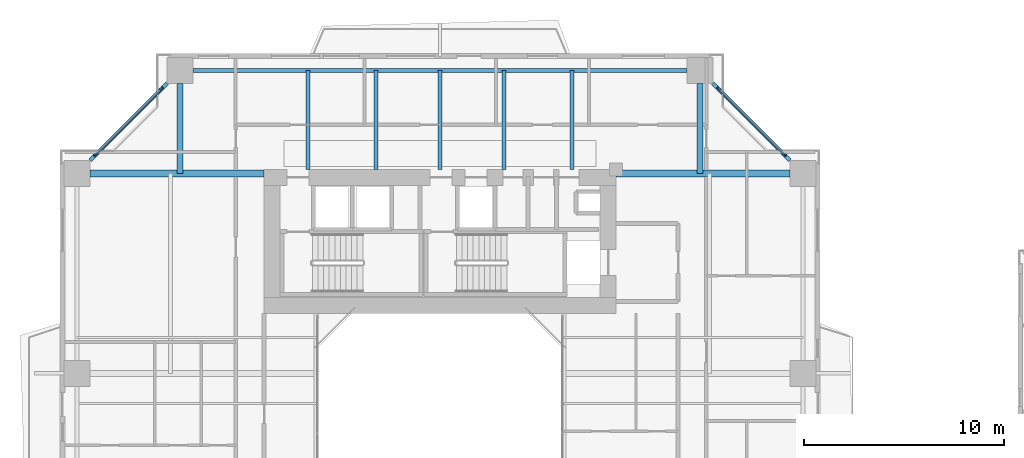
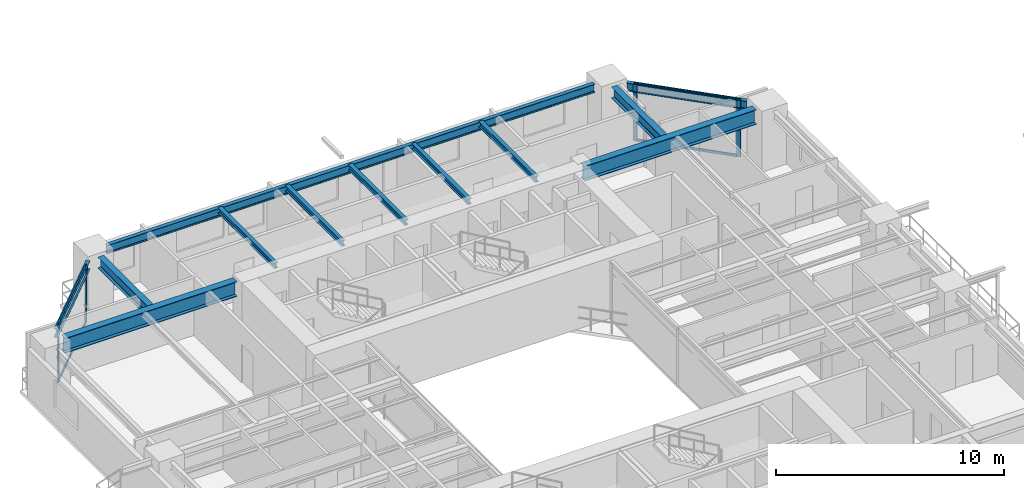
# One storey, part 10 of 23: 12 beams, 8 members, 2 elements without a shape of their own.
"""IFC4 building model written with IfcOpenShell, lengths in metres."""

import ifcopenshell
import ifcopenshell.guid

model = None  # the IFC model being written
_history = None  # IfcOwnerHistory: only IFC2X3 demands one
_inside = {}  # id of a spatial element -> (the spatial element, [elements in it])
_under = {}  # id of a project, library or spatial element -> (it, [spatial elements below it])
_declared = {}  # id of a project -> (the project, [libraries it declares])
_typed = {}  # id of a type object -> (the type object, [elements of that type])
_made_of = {}  # id of a material, layer set ... -> (it, [elements and type objects made of it])


def new_model(schema):
    """Start an empty IFC model of exactly this schema.

    Asked for "IFC4X3", IfcOpenShell would pick the latest addendum, in which some entities
    have other attributes; the version numbers below select the first issue.
    IFC2X3 requires an IfcOwnerHistory on every rooted entity: one is made here for all.
    """
    global model, _history
    if schema == "IFC4X3":
        model = ifcopenshell.file(schema_version=(4, 3, 0, 0))
    else:
        model = ifcopenshell.file(schema=schema)
    _inside.clear()
    _under.clear()
    _declared.clear()
    _typed.clear()
    _made_of.clear()
    _history = None
    if model.schema == "IFC2X3":
        org = make("IfcOrganization", Name="unknown")
        user = make(
            "IfcPersonAndOrganization",
            ThePerson=make("IfcPerson", FamilyName="unknown"),
            TheOrganization=org,
        )
        app = make(
            "IfcApplication",
            ApplicationDeveloper=org,
            Version="unknown",
            ApplicationFullName="unknown",
            ApplicationIdentifier="unknown",
        )
        _history = make(
            "IfcOwnerHistory",
            OwningUser=user,
            OwningApplication=app,
            ChangeAction="ADDED",
            CreationDate=0,
        )
    return model


def make(cls, **values):
    """One entity of the class cls with the attributes given. An attribute that is None is left unset."""
    return model.create_entity(
        cls, **{name: value for name, value in values.items() if value is not None}
    )


def rooted(cls, **values):
    """An entity with a GlobalId (a new one), such as an element, a storey or a relation."""
    return make(cls, GlobalId=ifcopenshell.guid.new(), OwnerHistory=_history, **values)


def si_unit(unit_type, name, prefix=None):
    """IfcSIUnit, for example si_unit("LENGTHUNIT", "METRE", prefix="MILLI")."""
    return make("IfcSIUnit", UnitType=unit_type, Prefix=prefix, Name=name)


def assignment(units):
    """IfcUnitAssignment: the units of a project."""
    return None if units is None else make("IfcUnitAssignment", Units=units)


def point(xyz):
    """IfcCartesianPoint."""
    return None if xyz is None else make("IfcCartesianPoint", Coordinates=xyz)


def direction(xyz):
    """IfcDirection."""
    return None if xyz is None else make("IfcDirection", DirectionRatios=xyz)


def frame(location, z_axis=None, x_axis=None):
    """IfcAxis2Placement3D, a coordinate frame: its origin and axes. An axis left out is left unset."""
    return make(
        "IfcAxis2Placement3D",
        Location=point(location),
        Axis=direction(z_axis),
        RefDirection=direction(x_axis),
    )


def frame_2d(location, x_axis=None):
    """IfcAxis2Placement2D, a coordinate frame in the plane: its origin and x axis."""
    return make(
        "IfcAxis2Placement2D", Location=point(location), RefDirection=direction(x_axis)
    )


def origin():
    """The frame at (0, 0, 0) with its axes left unset."""
    return frame((0.0, 0.0, 0.0))


def origin_2d():
    """The frame at (0, 0) in the plane with its x axis left unset."""
    return frame_2d((0.0, 0.0))


def place(relative_to, where):
    """IfcLocalPlacement: puts the frame where relative to a parent placement (None: the world)."""
    return make(
        "IfcLocalPlacement", PlacementRelTo=relative_to, RelativePlacement=where
    )


def context(
    kind, dimensions, precision=None, world=None, true_north=None, identifier=None
):
    """IfcGeometricRepresentationContext, for example the 3D "Model" context."""
    return make(
        "IfcGeometricRepresentationContext",
        ContextIdentifier=identifier,
        ContextType=kind,
        CoordinateSpaceDimension=dimensions,
        Precision=precision,
        WorldCoordinateSystem=world,
        TrueNorth=true_north,
    )


def subcontext(parent, identifier, kind, view, scale=None):
    """IfcGeometricRepresentationSubContext, for example "Body" below "Model"."""
    return make(
        "IfcGeometricRepresentationSubContext",
        ContextIdentifier=identifier,
        ContextType=kind,
        ParentContext=parent,
        TargetScale=scale,
        TargetView=view,
    )


def project(units=None, contexts=None):
    """IfcProject with its units and contexts."""
    return rooted(
        "IfcProject",
        Name="project",
        RepresentationContexts=contexts,
        UnitsInContext=assignment(units),
    )


def spatial(cls, under=None, at=None, **own):
    """A site, building, storey or space (cls), placed at a placement, below another one or the project."""
    s = rooted(cls, ObjectPlacement=at, **own)
    if under is not None:
        _under.setdefault(under.id(), (under, []))[1].append(s)
    return s


def profile(cls, at=None, kind="AREA", **sizes):
    """A parametric profile (cls). Its sizes go by their IFC names, for example OverallWidth=200.0."""
    return make(cls, ProfileType=kind, Position=at, **sizes)


def rectangle(**sizes):
    """IfcRectangleProfileDef."""
    return profile("IfcRectangleProfileDef", **sizes)


def i_section(**sizes):
    """IfcIShapeProfileDef."""
    return profile("IfcIShapeProfileDef", **sizes)


def extrude(swept, where, along, depth):
    """IfcExtrudedAreaSolid: the profile swept, set in the frame where, extruded along a direction by depth."""
    return make(
        "IfcExtrudedAreaSolid",
        SweptArea=swept,
        Position=where,
        ExtrudedDirection=direction(along),
        Depth=depth,
    )


def shape(context_of_items, identifier, shape_type, items):
    """IfcShapeRepresentation: the items that make up one representation, for example the "Body"."""
    return make(
        "IfcShapeRepresentation",
        ContextOfItems=context_of_items,
        RepresentationIdentifier=identifier,
        RepresentationType=shape_type,
        Items=items,
    )


def source(mapping_origin, context_of_items, identifier, shape_type, items):
    """IfcRepresentationMap: a shape defined once, which mapped items show again and again."""
    return make(
        "IfcRepresentationMap",
        MappingOrigin=mapping_origin,
        MappedRepresentation=shape(context_of_items, identifier, shape_type, items),
    )


def transform(
    local_origin,
    x_axis=None,
    y_axis=None,
    z_axis=None,
    scale=None,
    scale2=None,
    scale3=None,
    uniform=True,
):
    """IfcCartesianTransformationOperator3D, or its non-uniform kind. x_axis, y_axis, z_axis: its Axis1, 2, 3."""
    if uniform:
        return make(
            "IfcCartesianTransformationOperator3D",
            Axis1=direction(x_axis),
            Axis2=direction(y_axis),
            LocalOrigin=point(local_origin),
            Scale=scale,
            Axis3=direction(z_axis),
        )
    return make(
        "IfcCartesianTransformationOperator3DnonUniform",
        Axis1=direction(x_axis),
        Axis2=direction(y_axis),
        LocalOrigin=point(local_origin),
        Scale=scale,
        Axis3=direction(z_axis),
        Scale2=scale2,
        Scale3=scale3,
    )


def mapped(mapping_source, mapping_target):
    """IfcMappedItem: shows the shape of a source again, moved by a transform."""
    return make(
        "IfcMappedItem", MappingSource=mapping_source, MappingTarget=mapping_target
    )


def material(Name=None, Category=None):
    """IfcMaterial."""
    return make("IfcMaterial", Name=Name, Category=Category)


def layer(
    of_material, thickness, ventilated=None, Name=None, Category=None, Priority=None
):
    """IfcMaterialLayer: one layer of a wall or slab, of a material (None: an air gap)."""
    return make(
        "IfcMaterialLayer",
        Material=of_material,
        LayerThickness=thickness,
        IsVentilated=ventilated,
        Name=Name,
        Category=Category,
        Priority=Priority,
    )


def layer_set(layers, Name=None):
    """IfcMaterialLayerSet."""
    return make("IfcMaterialLayerSet", MaterialLayers=layers, LayerSetName=Name)


def material_profile(
    of_material, cross_section, Name=None, Category=None, Priority=None
):
    """IfcMaterialProfile: a cross section and its material."""
    return make(
        "IfcMaterialProfile",
        Name=Name,
        Material=of_material,
        Profile=cross_section,
        Priority=Priority,
        Category=Category,
    )


def profile_set(profiles, Name=None, composite=None):
    """IfcMaterialProfileSet."""
    return make(
        "IfcMaterialProfileSet",
        Name=Name,
        MaterialProfiles=profiles,
        CompositeProfile=composite,
    )


def made_of(thing, what):
    """Note that an element or type object is made of a material, layer set ...; save() writes the relation."""
    if what is not None:
        _made_of.setdefault(what.id(), (what, []))[1].append(thing)
    return thing


def type_object(cls, material=None, **own):
    """A type object (cls), such as IfcWallType, which elements share."""
    return made_of(rooted(cls, **own), material)


def element(
    cls,
    number,
    at=None,
    inside=None,
    cuts=None,
    type_object=None,
    material=None,
    context=None,
    identifier="Body",
    shape_type=None,
    held_by="IfcProductDefinitionShape",
    body=None,
    shapes=None,
    **own,
):
    """One element of the class cls, such as IfcWall. Its Tag is "e" and its number.

    at: its placement. inside: the storey or other place that contains it. cuts: it is an
    opening in that element (IfcRelVoidsElement). A single representation is given by context,
    identifier, shape_type and body (its items); several are given by shapes. held_by: the class
    of the entity that holds the representations. save() writes the other relations.
    """
    e = rooted(cls, Tag="e%d" % number, ObjectPlacement=at, **own)
    if body is not None:
        shapes = [shape(context, identifier, shape_type, body)]
    if shapes is not None:
        e.Representation = make(held_by, Representations=shapes)
    if inside is not None:
        _inside.setdefault(inside.id(), (inside, []))[1].append(e)
    if cuts is not None:
        rooted(
            "IfcRelVoidsElement", RelatingBuildingElement=cuts, RelatedOpeningElement=e
        )
    if type_object is not None:
        _typed.setdefault(type_object.id(), (type_object, []))[1].append(e)
    return made_of(e, material)


def aggregate(whole, parts):
    """IfcRelAggregates: a whole, such as a stair, and the parts it consists of."""
    return rooted("IfcRelAggregates", RelatingObject=whole, RelatedObjects=parts)


def save(model, path):
    """Write the relations noted so far, then the file.

    IfcRelAggregates (storeys below a building ...), IfcRelContainedInSpatialStructure (elements
    in a storey), IfcRelDefinesByType, IfcRelAssociatesMaterial and IfcRelDeclares: one each for
    every whole, place, type object, material and project.
    """
    for whole, parts in _under.values():
        aggregate(whole, parts)
    for where, things in _inside.values():
        rooted(
            "IfcRelContainedInSpatialStructure",
            RelatedElements=things,
            RelatingStructure=where,
        )
    for kind, things in _typed.values():
        rooted("IfcRelDefinesByType", RelatedObjects=things, RelatingType=kind)
    for what, things in _made_of.values():
        rooted("IfcRelAssociatesMaterial", RelatedObjects=things, RelatingMaterial=what)
    for by, libraries in _declared.values():
        rooted("IfcRelDeclares", RelatingContext=by, RelatedDefinitions=libraries)
    model.write(path)


model = new_model("IFC4")

# Units and contexts
model_context = context("Model", 3, precision=1e-05, world=origin(), true_north=direction((0.0, 1.0)))
body_context = subcontext(model_context, "Body", "Model", "MODEL_VIEW")
ifc_project = project(units=[si_unit("LENGTHUNIT", "METRE"), si_unit("AREAUNIT", "SQUARE_METRE"), si_unit("VOLUMEUNIT", "CUBIC_METRE"), si_unit("PLANEANGLEUNIT", "RADIAN"), si_unit("MASSUNIT", "GRAM", prefix="KILO"), si_unit("THERMODYNAMICTEMPERATUREUNIT", "KELVIN"), si_unit("POWERUNIT", "WATT")], contexts=[model_context])

# Site, building, storey
site_placement = place(None, origin())
site = spatial("IfcSite", under=ifc_project, at=site_placement, CompositionType="ELEMENT")
building_placement = place(site_placement, origin())
building = spatial("IfcBuilding", under=site, at=building_placement, Name="Qiaomeng Ring Towers", CompositionType="ELEMENT")
storey_placement = place(building_placement, frame((0.0, 0.0, 73.0)))
storey = spatial("IfcBuildingStorey", under=building, at=storey_placement, Name="L20", CompositionType="ELEMENT", Elevation=73.0)

# Beams
ifc_material_1 = material(Name="Steel Q355B", Category="steel")
ifc_material_profile_1 = material_profile(ifc_material_1, i_section(OverallWidth=0.199951171875, OverallDepth=0.449951171875, WebThickness=0.009033203125, FlangeThickness=0.013916015625, FilletRadius=0.01806640625, at=origin_2d()), Name="HN 450x200x9x14")
ifc_profile_set_1 = profile_set([ifc_material_profile_1], Name="Steel Q355B")
beam_type_1 = type_object("IfcBeamType", Name="STR-BM-HN450", PredefinedType="SPANDREL", material=ifc_profile_set_1)
shared_shape_1 = source(origin(), body_context, "Body", "SweptSolid", [
    extrude(i_section(OverallWidth=0.199951171875, OverallDepth=0.449951171875, WebThickness=0.009033203125, FlangeThickness=0.013916015625, FilletRadius=0.01806640625, at=origin_2d()), origin(), (0.0, 0.0, 1.0), 24.7021484375),
])
beam_placement = place(storey_placement, frame((31.35107421875, 41.14990234375, 2.844970703125), z_axis=(-1.0, 0.0, 0.0), x_axis=(0.0, -1.0, 0.0)))
element("IfcBeam", 1, at=beam_placement, inside=storey, type_object=beam_type_1, Name="L20 beam STR-SP-L20-T1-N2-N1", PredefinedType="SPANDREL", context=body_context, shape_type="MappedRepresentation", body=[
    mapped(shared_shape_1, transform((0.0, 0.0, 0.0), x_axis=(1.0, 0.0, 0.0), y_axis=(0.0, 1.0, 0.0), z_axis=(0.0, 0.0, 1.0), scale=1.0)),
])
shared_shape_2 = source(origin(), body_context, "Body", "SweptSolid", [
    extrude(i_section(OverallWidth=0.199951171875, OverallDepth=0.449951171875, WebThickness=0.009033203125, FlangeThickness=0.013916015625, FilletRadius=0.01806640625, at=origin_2d()), origin(), (0.0, 0.0, 1.0), 5.446533203125),
])
for number, where, z_axis, x_axis, name in (
    (2, (36.500732421875, 36.6494140625, 2.844970703125), (-0.707106781187, 0.707106781187, 0.0), (-0.707106781187, -0.707106781187, 0.0), "L20 beam STR-SP-L20-T1-E4-N2"),
    (3, (5.3505859375, 40.500732421875, 2.844970703125), (-0.707106781187, -0.707106781187, 0.0), (0.707106781187, -0.707106781187, 0.0), "L20 beam STR-SP-L20-T1-N1-W4"),
):
    element("IfcBeam", number, at=place(storey_placement, frame(where, z_axis=z_axis, x_axis=x_axis)), inside=storey, type_object=beam_type_1, Name=name, PredefinedType="SPANDREL", context=body_context, shape_type="MappedRepresentation", body=[
        mapped(shared_shape_2, transform((0.0, 0.0, 0.0), x_axis=(1.0, 0.0, 0.0), y_axis=(0.0, 1.0, 0.0), z_axis=(0.0, 0.0, 1.0), scale=1.0)),
    ])
ifc_material_2 = material(Name="Steel Q390GJC", Category="steel")
ifc_material_profile_2 = material_profile(ifc_material_2, i_section(OverallWidth=0.35009765625, OverallDepth=0.800048828125, WebThickness=0.01611328125, FlangeThickness=0.028076171875, at=origin_2d()), Name="WH 800x350x16x28")
ifc_profile_set_2 = profile_set([ifc_material_profile_2], Name="Steel Q390GJC")
beam_type_2 = type_object("IfcBeamType", Name="STR-BM-WH800", PredefinedType="BEAM", material=ifc_profile_set_2)
shared_shape_3 = source(origin(), body_context, "Body", "SweptSolid", [
    extrude(i_section(OverallWidth=0.35009765625, OverallDepth=0.800048828125, WebThickness=0.01611328125, FlangeThickness=0.028076171875, at=origin_2d()), origin(), (0.0, 0.0, 1.0), 8.700927734375),
])
for number, where, z_axis, x_axis, name in (
    (4, (1.4990234375, 36.0, 2.669921875), (1.0, 0.0, 0.0), (0.0, 1.0, 0.0), "L20 beam STR-BM-L20-T1-RAD-W4"),
    (5, (27.800048828125, 36.0, 2.669921875), (1.0, 0.0, 0.0), (0.0, 1.0, 0.0), "L20 beam STR-BM-L20-T1-RAD-E4"),
):
    element("IfcBeam", number, at=place(storey_placement, frame(where, z_axis=z_axis, x_axis=x_axis)), inside=storey, type_object=beam_type_2, Name=name, PredefinedType="BEAM", context=body_context, shape_type="MappedRepresentation", body=[
        mapped(shared_shape_3, transform((0.0, 0.0, 0.0), x_axis=(1.0, 0.0, 0.0), y_axis=(0.0, 1.0, 0.0), z_axis=(0.0, 0.0, 1.0), scale=1.0)),
    ])
ifc_material_profile_3 = material_profile(ifc_material_1, i_section(OverallWidth=0.300048828125, OverallDepth=0.587890625, WebThickness=0.011962890625, FlangeThickness=0.02001953125, FilletRadius=0.028076171875, at=origin_2d()), Name="HM 588x300x12x20")
ifc_profile_set_3 = profile_set([ifc_material_profile_3], Name="Steel Q355B")
beam_type_3 = type_object("IfcBeamType", Name="STR-BM-HM588", PredefinedType="BEAM", material=ifc_profile_set_3)
shared_shape_4 = source(origin(), body_context, "Body", "SweptSolid", [
    extrude(i_section(OverallWidth=0.300048828125, OverallDepth=0.587890625, WebThickness=0.011962890625, FlangeThickness=0.02001953125, FilletRadius=0.028076171875, at=origin_2d()), origin(), (0.0, 0.0, 1.0), 4.5009765625),
])
for number, where, z_axis, x_axis, name in (
    (6, (6.0, 40.5009765625, 2.77587890625), (0.0, -1.0, 0.0), (1.0, 0.0, 0.0), "L20 beam STR-BM-L20-T1-RAD-N1"),
    (7, (32.0, 40.5009765625, 2.77587890625), (0.0, -1.0, 0.0), (1.0, 0.0, 0.0), "L20 beam STR-BM-L20-T1-RAD-N2"),
):
    element("IfcBeam", number, at=place(storey_placement, frame(where, z_axis=z_axis, x_axis=x_axis)), inside=storey, type_object=beam_type_3, Name=name, PredefinedType="BEAM", context=body_context, shape_type="MappedRepresentation", body=[
        mapped(shared_shape_4, transform((0.0, 0.0, 0.0), x_axis=(1.0, 0.0, 0.0), y_axis=(0.0, 1.0, 0.0), z_axis=(0.0, 0.0, 1.0), scale=1.0)),
    ])
ifc_material_profile_4 = material_profile(ifc_material_1, i_section(OverallWidth=0.199951171875, OverallDepth=0.2939453125, WebThickness=0.008056640625, FlangeThickness=0.011962890625, FilletRadius=0.01806640625, at=origin_2d()), Name="HM 294x200x8x12")
ifc_profile_set_4 = profile_set([ifc_material_profile_4], Name="Steel Q355B")
beam_type_4 = type_object("IfcBeamType", Name="STR-BM-HM294", PredefinedType="JOIST", material=ifc_profile_set_4)
shared_shape_5 = source(origin(), body_context, "Body", "SweptSolid", [
    extrude(i_section(OverallWidth=0.199951171875, OverallDepth=0.2939453125, WebThickness=0.008056640625, FlangeThickness=0.011962890625, FilletRadius=0.01806640625, at=origin_2d()), origin(), (0.0, 0.0, 1.0), 4.949951171875),
])
for number, where, z_axis, x_axis, name in (
    (8, (12.39990234375, 36.199951171875, 2.923095703125), (0.0, 1.0, 0.0), (-1.0, 0.0, 0.0), "L20 beam STR-JST-L20-T1N-1"),
    (9, (15.800048828125, 36.199951171875, 2.923095703125), (0.0, 1.0, 0.0), (-1.0, 0.0, 0.0), "L20 beam STR-JST-L20-T1N-2"),
    (10, (19.0, 36.199951171875, 2.923095703125), (0.0, 1.0, 0.0), (-1.0, 0.0, 0.0), "L20 beam STR-JST-L20-T1N-3"),
    (11, (22.199951171875, 36.199951171875, 2.923095703125), (0.0, 1.0, 0.0), (-1.0, 0.0, 0.0), "L20 beam STR-JST-L20-T1N-4"),
    (12, (25.60009765625, 36.199951171875, 2.923095703125), (0.0, 1.0, 0.0), (-1.0, 0.0, 0.0), "L20 beam STR-JST-L20-T1N-5"),
):
    element("IfcBeam", number, at=place(storey_placement, frame(where, z_axis=z_axis, x_axis=x_axis)), inside=storey, type_object=beam_type_4, Name=name, PredefinedType="JOIST", context=body_context, shape_type="MappedRepresentation", body=[
        mapped(shared_shape_5, transform((0.0, 0.0, 0.0), x_axis=(1.0, 0.0, 0.0), y_axis=(0.0, 1.0, 0.0), z_axis=(0.0, 0.0, 1.0), scale=1.0)),
    ])

# Curtain wall, members
ifc_material_3 = material(Name="Fluorocarbon dark-grey aluminium", Category="aluminium")
ifc_layer = layer(ifc_material_3, 0.159912109375, Name="Fluorocarbon dark-grey aluminium")
ifc_layer_set = layer_set([ifc_layer], Name="Fluorocarbon dark-grey aluminium")
curtain_wall_type = type_object("IfcCurtainWallType", Name="ARC-CW-2", PredefinedType="NOTDEFINED", material=ifc_layer_set)
curtain_wall_1_placement = place(storey_placement, origin())
curtain_wall_1 = element("IfcCurtainWall", 13, at=curtain_wall_1_placement, inside=storey, type_object=curtain_wall_type, Name="L20 Curtain Wall CW2", PredefinedType="NOTDEFINED")
ifc_material_profile_5 = material_profile(ifc_material_3, rectangle(XDim=0.070068359375, YDim=0.179931640625, at=origin_2d()), Name="ALU MULL 70x180")
ifc_profile_set_5 = profile_set([ifc_material_profile_5], Name="Fluorocarbon dark-grey aluminium")
member_type_1 = type_object("IfcMemberType", Name="ARC-CWM-160", PredefinedType="MULLION", material=ifc_profile_set_5)
shared_shape_6 = source(origin(), body_context, "Body", "SweptSolid", [
    extrude(rectangle(XDim=0.070068359375, YDim=0.179931640625, at=origin_2d()), origin(), (0.0, 0.0, 1.0), 3.070068359375),
])
member_1_placement = place(storey_placement, frame((36.2353515625, 36.914794921875, 0.0), z_axis=(0.0, 0.0, 1.0), x_axis=(-0.707106781187, -0.707106781187, 0.0)))
member_1 = element("IfcMember", 14, at=member_1_placement, type_object=member_type_1, Name="CW2 mullion 1", PredefinedType="MULLION", context=body_context, shape_type="MappedRepresentation", body=[
    mapped(shared_shape_6, transform((0.0, 0.0, 0.0), x_axis=(1.0, 0.0, 0.0), y_axis=(0.0, 1.0, 0.0), z_axis=(0.0, 0.0, 1.0), scale=1.0)),
])
member_2_placement = place(storey_placement, frame((32.914794921875, 40.2353515625, 0.0), z_axis=(0.0, 0.0, 1.0), x_axis=(-0.707106781187, -0.707106781187, 0.0)))
member_2 = element("IfcMember", 15, at=member_2_placement, type_object=member_type_1, Name="CW2 mullion 2", PredefinedType="MULLION", context=body_context, shape_type="MappedRepresentation", body=[
    mapped(shared_shape_6, transform((0.0, 0.0, 0.0), x_axis=(1.0, 0.0, 0.0), y_axis=(0.0, 1.0, 0.0), z_axis=(0.0, 0.0, 1.0), scale=1.0)),
])

curtain_wall_2_placement = place(storey_placement, origin())
curtain_wall_2 = element("IfcCurtainWall", 16, at=curtain_wall_2_placement, inside=storey, type_object=curtain_wall_type, Name="L20 Curtain Wall CW2", PredefinedType="NOTDEFINED")
member_3_placement = place(storey_placement, frame((5.085205078125, 40.2353515625, 0.0), z_axis=(0.0, 0.0, 1.0), x_axis=(0.707106781187, -0.707106781187, 0.0)))
member_3 = element("IfcMember", 17, at=member_3_placement, type_object=member_type_1, Name="CW2 mullion 1", PredefinedType="MULLION", context=body_context, shape_type="MappedRepresentation", body=[
    mapped(shared_shape_6, transform((0.0, 0.0, 0.0), x_axis=(1.0, 0.0, 0.0), y_axis=(0.0, 1.0, 0.0), z_axis=(0.0, 0.0, 1.0), scale=1.0)),
])
member_4_placement = place(storey_placement, frame((1.7646484375, 36.914794921875, 0.0), z_axis=(0.0, 0.0, 1.0), x_axis=(0.707106781187, -0.707106781187, 0.0)))
member_4 = element("IfcMember", 18, at=member_4_placement, type_object=member_type_1, Name="CW2 mullion 2", PredefinedType="MULLION", context=body_context, shape_type="MappedRepresentation", body=[
    mapped(shared_shape_6, transform((0.0, 0.0, 0.0), x_axis=(1.0, 0.0, 0.0), y_axis=(0.0, 1.0, 0.0), z_axis=(0.0, 0.0, 1.0), scale=1.0)),
])

# Member
ifc_material_profile_6 = material_profile(ifc_material_3, rectangle(XDim=0.06494140625, YDim=0.1298828125, at=origin_2d()), Name="ALU TRAN 65x130")
ifc_profile_set_6 = profile_set([ifc_material_profile_6], Name="Fluorocarbon dark-grey aluminium")
member_type_2 = type_object("IfcMemberType", Name="ARC-CWT-120", PredefinedType="USERDEFINED", material=ifc_profile_set_6)
shared_shape_7 = source(origin(), body_context, "Body", "SweptSolid", [
    extrude(rectangle(XDim=0.06494140625, YDim=0.1298828125, at=origin_2d()), origin(), (0.0, 0.0, 1.0), 4.6259765625),
])
member_5_placement = place(storey_placement, frame((36.21044921875, 36.939453125, 0.032470703125), z_axis=(-0.707106781187, 0.707106781187, 0.0), x_axis=(-0.707106781187, -0.707106781187, 0.0)))
member_5 = element("IfcMember", 19, at=member_5_placement, type_object=member_type_2, Name="CW2 transom 1.1", ObjectType="TRANSOM", PredefinedType="USERDEFINED", context=body_context, shape_type="MappedRepresentation", body=[
    mapped(shared_shape_7, transform((0.0, 0.0, 0.0), x_axis=(1.0, 0.0, 0.0), y_axis=(0.0, 1.0, 0.0), z_axis=(0.0, 0.0, 1.0), scale=1.0)),
])

member_6_placement = place(storey_placement, frame((36.21044921875, 36.939453125, 3.03759765625), z_axis=(-0.707106781187, 0.707106781187, 0.0), x_axis=(-0.707106781187, -0.707106781187, 0.0)))
member_6 = element("IfcMember", 20, at=member_6_placement, type_object=member_type_2, Name="CW2 transom 1.2", ObjectType="TRANSOM", PredefinedType="USERDEFINED", context=body_context, shape_type="MappedRepresentation", body=[
    mapped(shared_shape_7, transform((0.0, 0.0, 0.0), x_axis=(1.0, 0.0, 0.0), y_axis=(0.0, 1.0, 0.0), z_axis=(0.0, 0.0, 1.0), scale=1.0)),
])

aggregate(curtain_wall_1, [member_1, member_2, member_5, member_6])

member_7_placement = place(storey_placement, frame((5.060546875, 40.21044921875, 0.032470703125), z_axis=(-0.707106781187, -0.707106781187, 0.0), x_axis=(0.707106781187, -0.707106781187, 0.0)))
member_7 = element("IfcMember", 21, at=member_7_placement, type_object=member_type_2, Name="CW2 transom 1.1", ObjectType="TRANSOM", PredefinedType="USERDEFINED", context=body_context, shape_type="MappedRepresentation", body=[
    mapped(shared_shape_7, transform((0.0, 0.0, 0.0), x_axis=(1.0, 0.0, 0.0), y_axis=(0.0, 1.0, 0.0), z_axis=(0.0, 0.0, 1.0), scale=1.0)),
])

member_8_placement = place(storey_placement, frame((5.060546875, 40.21044921875, 3.03759765625), z_axis=(-0.707106781187, -0.707106781187, 0.0), x_axis=(0.707106781187, -0.707106781187, 0.0)))
member_8 = element("IfcMember", 22, at=member_8_placement, type_object=member_type_2, Name="CW2 transom 1.2", ObjectType="TRANSOM", PredefinedType="USERDEFINED", context=body_context, shape_type="MappedRepresentation", body=[
    mapped(shared_shape_7, transform((0.0, 0.0, 0.0), x_axis=(1.0, 0.0, 0.0), y_axis=(0.0, 1.0, 0.0), z_axis=(0.0, 0.0, 1.0), scale=1.0)),
])

aggregate(curtain_wall_2, [member_3, member_4, member_7, member_8])

save(model, "model.ifc")
